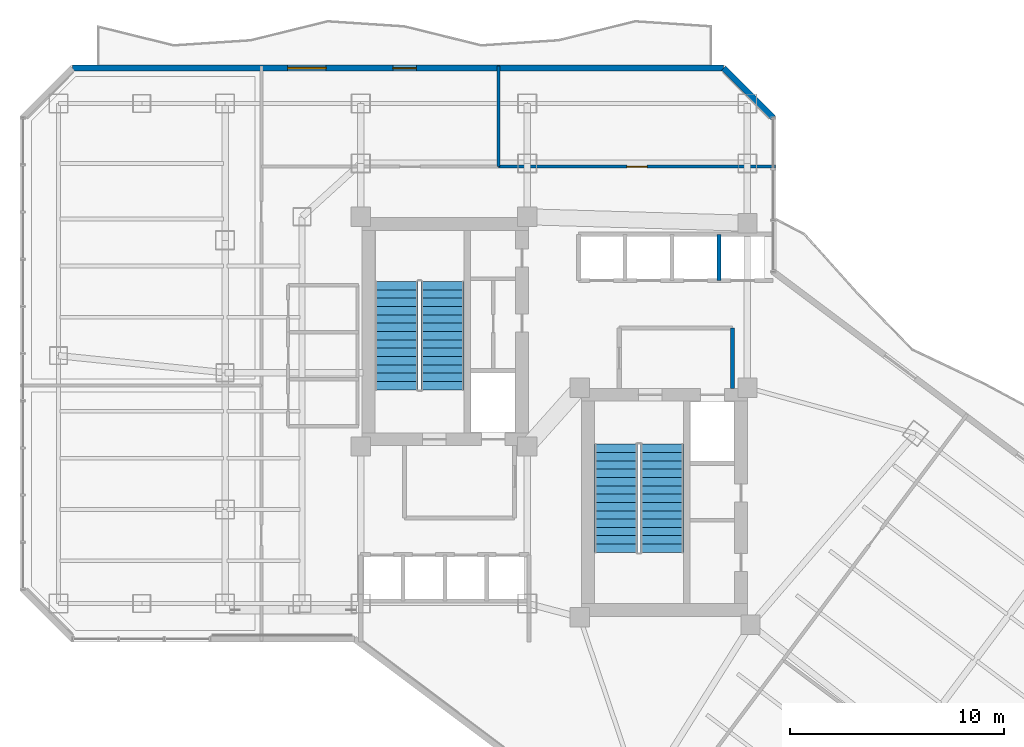
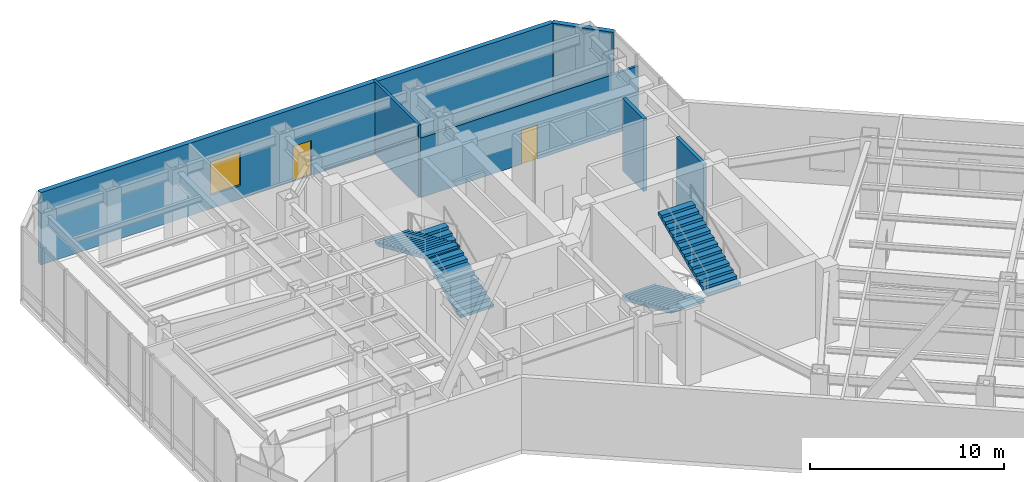
# One storey, part 22 of 27: 6 walls, 4 stair flights, 2 doors, 1 window, 3 openings, 2 elements without a shape of their own.
"""IFC4 building model written with IfcOpenShell, lengths in metres."""

from ifc_helpers import new_model, si_unit, direction, frame, frame_2d, origin, place, context, subcontext, project, spatial, polyline, rectangle, outline, extrude, material, layer, layer_set, type_object, element, fill, aggregate, save


model = new_model("IFC4")

# Units and contexts
model_context = context("Model", 3, precision=1e-05, world=origin(), true_north=direction((0.0, 1.0)))
body_context = subcontext(model_context, "Body", "Model", "MODEL_VIEW")
ifc_project = project(units=[si_unit("LENGTHUNIT", "METRE"), si_unit("AREAUNIT", "SQUARE_METRE"), si_unit("VOLUMEUNIT", "CUBIC_METRE"), si_unit("PLANEANGLEUNIT", "RADIAN"), si_unit("MASSUNIT", "GRAM", prefix="KILO")], contexts=[model_context])

# Site, building, storey
site_placement = place(None, origin())
site = spatial("IfcSite", under=ifc_project, at=site_placement, CompositionType="ELEMENT")
building_placement = place(site_placement, origin())
building = spatial("IfcBuilding", under=site, at=building_placement, Name="Hatsunagi Terrace Concourse", CompositionType="ELEMENT")
storey_placement = place(building_placement, frame((0.0, 0.0, 96.449951171875)))
storey = spatial("IfcBuildingStorey", under=building, at=storey_placement, Name="L25", CompositionType="ELEMENT", Elevation=96.449951171875)

# Wall
ifc_material_1 = material(Name="Acoustic mineral board", Category="gypsum")
ifc_layer_1 = layer(ifc_material_1, 0.14990234375)
ifc_layer_set_1 = layer_set([ifc_layer_1], Name="PartitionWall_EI60_150")
wall_type_1 = type_object("IfcWallType", Name="PartitionWall_EI60_150", PredefinedType="PARTITIONING", material=ifc_layer_set_1)
wall_1_placement = place(storey_placement, frame((32.0, 45.64990234375, 0.0), z_axis=(0.0, 0.0, 1.0), x_axis=(0.0, 1.0, 0.0)))
element("IfcWall", 1, at=wall_1_placement, inside=storey, type_object=wall_type_1, Name="Interior Partition IW-L25-037", PredefinedType="PARTITIONING", context=body_context, shape_type="SweptSolid", body=[
    extrude(rectangle(XDim=4.710205078125, YDim=0.14990234375, at=frame_2d((2.35498046875, 0.0))), origin(), (0.0, 0.0, 1.0), 4.550048828125),
])

# Wall, opening, door
wall_2_placement = place(storey_placement, frame((32.0, 45.64990234375, 0.0), z_axis=(0.0, 0.0, 1.0), x_axis=(1.0, 0.0, 0.0)))
wall_2 = element("IfcWall", 2, at=wall_2_placement, inside=storey, type_object=wall_type_1, Name="Interior Partition IW-L25-038", PredefinedType="PARTITIONING", context=body_context, shape_type="SweptSolid", body=[
    extrude(rectangle(XDim=12.9599609375, YDim=0.14990234375, at=frame_2d((6.47998046875, 0.0))), origin(), (0.0, 0.0, 1.0), 3.7451171875),
])
opening_1_placement = place(wall_2_placement, frame((6.0048828125, 0.0, 0.0)))
opening_1 = element("IfcOpeningElement", 3, at=opening_1_placement, cuts=wall_2, Name="Opening DR-095", PredefinedType="OPENING", context=body_context, shape_type="SweptSolid", body=[
    extrude(rectangle(XDim=0.949951171875, YDim=2.14990234375, at=frame_2d((0.47509765625, 1.074951171875))), frame((0.0, 0.0849609375, 0.0), z_axis=(0.0, -1.0, 0.0), x_axis=(1.0, 0.0, 0.0)), (0.0, 0.0, 1.0), 0.169921875),
])
ifc_material_2 = material(Name="Hardwood timber", Category="wood")
door_type_1 = type_object("IfcDoorType", Name="InteriorSuiteDoor_EI30_950", OperationType="NOTDEFINED", PredefinedType="DOOR", material=ifc_material_2)
door_1_placement = place(opening_1_placement, origin())
door_1 = element("IfcDoor", 4, at=door_1_placement, inside=storey, type_object=door_type_1, Name="Collaboration Lounge L25-ON2 Door", OperationType="SINGLE_SWING_RIGHT", OverallHeight=2.14990234375, OverallWidth=0.949951171875, PredefinedType="DOOR", context=body_context, shape_type="SweptSolid", body=[
    extrude(rectangle(XDim=0.949951171875, YDim=2.14990234375, at=frame_2d((0.47509765625, 1.074951171875))), frame((0.0, 0.02490234375, 0.0), z_axis=(0.0, -1.0, 0.0), x_axis=(1.0, 0.0, 0.0)), (0.0, 0.0, 1.0), 0.050048828125),
])
fill(opening_1, door_1)

# Walls
ifc_material_3 = material(Name="Acoustic mineral board", Category="gypsum")
ifc_layer_2 = layer(ifc_material_3, 0.199951171875)
ifc_layer_set_2 = layer_set([ifc_layer_2], Name="ShaftWall_EI120_200")
wall_type_2 = type_object("IfcWallType", Name="ShaftWall_EI120_200", PredefinedType="STANDARD", material=ifc_layer_set_2)
wall_3_placement = place(storey_placement, frame((42.949951171875, 35.27001953125, 0.0), z_axis=(0.0, 0.0, 1.0), x_axis=(0.0, 1.0, 0.0)))
element("IfcWall", 5, at=wall_3_placement, inside=storey, type_object=wall_type_2, Name="Interior Partition IW-L25-010", PredefinedType="STANDARD", context=body_context, shape_type="SweptSolid", body=[
    extrude(rectangle(XDim=2.830078125, YDim=0.199951171875, at=frame_2d((1.4150390625, 0.0))), origin(), (0.0, 0.0, 1.0), 4.550048828125),
])
wall_4_placement = place(storey_placement, frame((42.320068359375, 40.320068359375, 0.0), z_axis=(0.0, 0.0, 1.0), x_axis=(0.0, 1.0, 0.0)))
element("IfcWall", 6, at=wall_4_placement, inside=storey, type_object=wall_type_2, Name="Interior Partition IW-L25-023", PredefinedType="STANDARD", context=body_context, shape_type="SweptSolid", body=[
    extrude(rectangle(XDim=2.159912109375, YDim=0.199951171875, at=frame_2d((1.080078125, 0.0))), origin(), (0.0, 0.0, 1.0), 4.550048828125),
])

# Wall, openings, door, window
ifc_material_4 = material(Name="Autoclaved Lightweight Concrete and Terracotta Cladding", Category="masonry")
ifc_layer_3 = layer(ifc_material_4, 0.280029296875)
ifc_layer_set_3 = layer_set([ifc_layer_3], Name="TerracottaSpandrelWall_280")
wall_type_3 = type_object("IfcWallType", Name="TerracottaSpandrelWall_280", PredefinedType="STANDARD", material=ifc_layer_set_3)
wall_5_placement = place(storey_placement, frame((12.05810546875, 50.260009765625, 0.0), z_axis=(0.0, 0.0, 1.0), x_axis=(1.0, 0.0, 0.0)))
wall_5 = element("IfcWall", 7, at=wall_5_placement, inside=storey, type_object=wall_type_3, Name="Exterior Spandrel Wall EW-L25-11", PredefinedType="STANDARD", context=body_context, shape_type="SweptSolid", body=[
    extrude(rectangle(XDim=30.48388671875, YDim=0.280029296875, at=frame_2d((15.241943359375, 0.0))), origin(), (0.0, 0.0, 1.0), 4.550048828125),
])
opening_2_placement = place(wall_5_placement, frame((14.991943359375, 0.0, 0.0)))
opening_2 = element("IfcOpeningElement", 8, at=opening_2_placement, cuts=wall_5, Name="Opening BD-01", PredefinedType="OPENING", context=body_context, shape_type="SweptSolid", body=[
    extrude(rectangle(XDim=1.10009765625, YDim=2.199951171875, at=frame_2d((0.550048828125, 1.10009765625))), frame((0.0, 0.14990234375, 0.0), z_axis=(0.0, -1.0, 0.0), x_axis=(1.0, 0.0, 0.0)), (0.0, 0.0, 1.0), 0.300048828125),
])
opening_3_placement = place(wall_5_placement, frame((10.073974609375, 0.0, 0.85009765625)))
opening_3 = element("IfcOpeningElement", 9, at=opening_3_placement, cuts=wall_5, Name="Opening WIN-03", PredefinedType="OPENING", context=body_context, shape_type="SweptSolid", body=[
    extrude(rectangle(XDim=1.800048828125, YDim=2.10009765625, at=frame_2d((0.89990234375, 1.050048828125))), frame((0.0, 0.14990234375, 0.0), z_axis=(0.0, -1.0, 0.0), x_axis=(1.0, 0.0, 0.0)), (0.0, 0.0, 1.0), 0.300048828125),
])
ifc_material_5 = material(Name="Galvanised Steel and Laminated Safety Glass", Category="steel")
door_type_2 = type_object("IfcDoorType", Name="BalconyTerraceAccessDoor_1100x2200", OperationType="SINGLE_SWING_LEFT", PredefinedType="DOOR", material=ifc_material_5)
door_2_placement = place(opening_2_placement, origin())
door_2 = element("IfcDoor", 10, at=door_2_placement, inside=storey, type_object=door_type_2, Name="Engawa Balcony Door L25-BN", OperationType="SINGLE_SWING_RIGHT", OverallHeight=2.199951171875, OverallWidth=1.10009765625, PredefinedType="DOOR", context=body_context, shape_type="SweptSolid", body=[
    extrude(rectangle(XDim=1.10009765625, YDim=2.199951171875, at=frame_2d((0.550048828125, 1.10009765625))), frame((0.0, 0.02490234375, 0.0), z_axis=(0.0, -1.0, 0.0), x_axis=(1.0, 0.0, 0.0)), (0.0, 0.0, 1.0), 0.050048828125),
])
fill(opening_2, door_2)
ifc_material_6 = material(Name="Thermally Broken Aluminium and Low-E Triple Glazing", Category="aluminium")
window_type = type_object("IfcWindowType", Name="OfficeCornerFeatureWindow_1800x2100", PartitioningType="SINGLE_PANEL", PredefinedType="WINDOW", material=ifc_material_6)
window_placement = place(opening_3_placement, origin())
window = element("IfcWindow", 11, at=window_placement, inside=storey, type_object=window_type, Name="Balcony Daylighting Window L25-11-1", OverallHeight=2.10009765625, OverallWidth=1.800048828125, PartitioningType="SINGLE_PANEL", PredefinedType="WINDOW", context=body_context, shape_type="SweptSolid", body=[
    extrude(rectangle(XDim=1.800048828125, YDim=2.10009765625, at=frame_2d((0.89990234375, 1.050048828125))), frame((0.0, 0.030029296875, 0.0), z_axis=(0.0, -1.0, 0.0), x_axis=(1.0, 0.0, 0.0)), (0.0, 0.0, 1.0), 0.06005859375),
])
fill(opening_3, window)

# Wall
wall_6_placement = place(storey_placement, frame((42.5419921875, 50.260009765625, 0.0), z_axis=(0.0, 0.0, 1.0), x_axis=(0.707106781187, -0.707106781187, 0.0)))
element("IfcWall", 12, at=wall_6_placement, inside=storey, type_object=wall_type_3, Name="Exterior Spandrel Wall EW-L25-12", PredefinedType="STANDARD", context=body_context, shape_type="SweptSolid", body=[
    extrude(rectangle(XDim=3.2783203125, YDim=0.280029296875, at=frame_2d((1.63916015625, 0.0))), origin(), (0.0, 0.0, 1.0), 4.550048828125),
])

# Stair, stair flights
ifc_material_7 = material(Name="Concrete Fc42", Category="concrete")
stair_type = type_object("IfcStairType", Name="DoglegExitStair_Tower2000_28R_171", PredefinedType="HALF_TURN_STAIR", material=ifc_material_7)
stair_1_placement = place(storey_placement, origin())
stair_1 = element("IfcStair", 13, at=stair_1_placement, inside=storey, type_object=stair_type, Name="L25 Core A Protected Exit Stair ST-A", PredefinedType="HALF_TURN_STAIR")
ifc_material_8 = material(Name="Concrete Fc42", Category="concrete")
stair_flight_type = type_object("IfcStairFlightType", Name="DoglegStairFlight_Tower2000_28R_171", PredefinedType="STRAIGHT", material=ifc_material_8)
stair_flight_1_placement = place(storey_placement, frame((29.3798828125, 35.199951171875, 0.0), z_axis=(0.0, 0.0, 1.0), x_axis=(0.0, 1.0, 0.0)))
stair_flight_1 = element("IfcStairFlight", 14, at=stair_flight_1_placement, type_object=stair_flight_type, Name="ST-A flight 1", NumberOfRisers=14, NumberOfTreads=13, PredefinedType="STRAIGHT", RiserHeight=0.171428571, TreadLength=0.39, context=body_context, shape_type="SweptSolid", body=[
    extrude(outline(polyline([(0.0, 0.0), (0.0, 0.17138671875), (0.389892578125, 0.17138671875), (0.389892578125, 0.3427734375), (0.780029296875, 0.3427734375), (0.780029296875, 0.514404296875), (1.169921875, 0.514404296875), (1.169921875, 0.685791015625), (1.56005859375, 0.685791015625), (1.56005859375, 0.857177734375), (1.949951171875, 0.857177734375), (1.949951171875, 1.028564453125), (2.340087890625, 1.028564453125), (2.340087890625, 1.199951171875), (2.72998046875, 1.199951171875), (2.72998046875, 1.371337890625), (3.1201171875, 1.371337890625), (3.1201171875, 1.54296875), (3.510009765625, 1.54296875), (3.510009765625, 1.71435546875), (3.89990234375, 1.71435546875), (3.89990234375, 1.8857421875), (4.2900390625, 1.8857421875), (4.2900390625, 2.05712890625), (4.679931640625, 2.05712890625), (4.679931640625, 2.228515625), (5.070068359375, 2.228515625), (5.070068359375, 2.39990234375), (5.070068359375, 2.06494140625), (0.37255859375, 0.0), (0.0, 0.0)])), frame((0.0, 1.0, 0.0), z_axis=(0.0, -1.0, 0.0), x_axis=(1.0, 0.0, 0.0)), (0.0, 0.0, 1.0), 2.0),
])
stair_flight_2_placement = place(storey_placement, frame((27.22998046875, 40.27001953125, 2.400146484375), z_axis=(0.0, 0.0, 1.0), x_axis=(0.0, -1.0, 0.0)))
stair_flight_2 = element("IfcStairFlight", 15, at=stair_flight_2_placement, type_object=stair_flight_type, Name="ST-A flight 2", NumberOfRisers=14, NumberOfTreads=13, PredefinedType="STRAIGHT", RiserHeight=0.171428571, TreadLength=0.39, context=body_context, shape_type="SweptSolid", body=[
    extrude(outline(polyline([(0.0, 0.0), (0.0, 0.17138671875), (0.389892578125, 0.17138671875), (0.389892578125, 0.3427734375), (0.780029296875, 0.3427734375), (0.780029296875, 0.514404296875), (1.169921875, 0.514404296875), (1.169921875, 0.685791015625), (1.56005859375, 0.685791015625), (1.56005859375, 0.857177734375), (1.949951171875, 0.857177734375), (1.949951171875, 1.028564453125), (2.340087890625, 1.028564453125), (2.340087890625, 1.199951171875), (2.72998046875, 1.199951171875), (2.72998046875, 1.371337890625), (3.1201171875, 1.371337890625), (3.1201171875, 1.54296875), (3.510009765625, 1.54296875), (3.510009765625, 1.71435546875), (3.89990234375, 1.71435546875), (3.89990234375, 1.8857421875), (4.2900390625, 1.8857421875), (4.2900390625, 2.05712890625), (4.679931640625, 2.05712890625), (4.679931640625, 2.228515625), (5.070068359375, 2.228515625), (5.070068359375, 2.39990234375), (5.070068359375, 2.06494140625), (0.37255859375, 0.0), (0.0, 0.0)])), frame((0.0, 1.0, 0.0), z_axis=(0.0, -1.0, 0.0), x_axis=(1.0, 0.0, 0.0)), (0.0, 0.0, 1.0), 2.0),
])
aggregate(stair_1, [stair_flight_1, stair_flight_2])

stair_2_placement = place(storey_placement, origin())
stair_2 = element("IfcStair", 16, at=stair_2_placement, inside=storey, type_object=stair_type, Name="L25 Core B Protected Exit Stair ST-B", PredefinedType="HALF_TURN_STAIR")
stair_flight_3_placement = place(storey_placement, frame((37.5, 32.659912109375, 0.0), z_axis=(0.0, 0.0, 1.0), x_axis=(0.0, -1.0, 0.0)))
stair_flight_3 = element("IfcStairFlight", 17, at=stair_flight_3_placement, type_object=stair_flight_type, Name="ST-B flight 1", NumberOfRisers=14, NumberOfTreads=13, PredefinedType="STRAIGHT", RiserHeight=0.171428571, TreadLength=0.39, context=body_context, shape_type="SweptSolid", body=[
    extrude(outline(polyline([(0.0, 0.0), (0.0, 0.17138671875), (0.389892578125, 0.17138671875), (0.389892578125, 0.3427734375), (0.780029296875, 0.3427734375), (0.780029296875, 0.514404296875), (1.169921875, 0.514404296875), (1.169921875, 0.685791015625), (1.56005859375, 0.685791015625), (1.56005859375, 0.857177734375), (1.949951171875, 0.857177734375), (1.949951171875, 1.028564453125), (2.340087890625, 1.028564453125), (2.340087890625, 1.199951171875), (2.72998046875, 1.199951171875), (2.72998046875, 1.371337890625), (3.1201171875, 1.371337890625), (3.1201171875, 1.54296875), (3.510009765625, 1.54296875), (3.510009765625, 1.71435546875), (3.89990234375, 1.71435546875), (3.89990234375, 1.8857421875), (4.2900390625, 1.8857421875), (4.2900390625, 2.05712890625), (4.679931640625, 2.05712890625), (4.679931640625, 2.228515625), (5.070068359375, 2.228515625), (5.070068359375, 2.39990234375), (5.070068359375, 2.06494140625), (0.37255859375, 0.0), (0.0, 0.0)])), frame((0.0, 1.0, 0.0), z_axis=(0.0, -1.0, 0.0), x_axis=(1.0, 0.0, 0.0)), (0.0, 0.0, 1.0), 2.0),
])
stair_flight_4_placement = place(storey_placement, frame((39.64990234375, 27.590087890625, 2.400146484375), z_axis=(0.0, 0.0, 1.0), x_axis=(0.0, 1.0, 0.0)))
stair_flight_4 = element("IfcStairFlight", 18, at=stair_flight_4_placement, type_object=stair_flight_type, Name="ST-B flight 2", NumberOfRisers=14, NumberOfTreads=13, PredefinedType="STRAIGHT", RiserHeight=0.171428571, TreadLength=0.39, context=body_context, shape_type="SweptSolid", body=[
    extrude(outline(polyline([(0.0, 0.0), (0.0, 0.17138671875), (0.389892578125, 0.17138671875), (0.389892578125, 0.3427734375), (0.780029296875, 0.3427734375), (0.780029296875, 0.514404296875), (1.169921875, 0.514404296875), (1.169921875, 0.685791015625), (1.56005859375, 0.685791015625), (1.56005859375, 0.857177734375), (1.949951171875, 0.857177734375), (1.949951171875, 1.028564453125), (2.340087890625, 1.028564453125), (2.340087890625, 1.199951171875), (2.72998046875, 1.199951171875), (2.72998046875, 1.371337890625), (3.1201171875, 1.371337890625), (3.1201171875, 1.54296875), (3.510009765625, 1.54296875), (3.510009765625, 1.71435546875), (3.89990234375, 1.71435546875), (3.89990234375, 1.8857421875), (4.2900390625, 1.8857421875), (4.2900390625, 2.05712890625), (4.679931640625, 2.05712890625), (4.679931640625, 2.228515625), (5.070068359375, 2.228515625), (5.070068359375, 2.39990234375), (5.070068359375, 2.06494140625), (0.37255859375, 0.0), (0.0, 0.0)])), frame((0.0, 1.0, 0.0), z_axis=(0.0, -1.0, 0.0), x_axis=(1.0, 0.0, 0.0)), (0.0, 0.0, 1.0), 2.0),
])
aggregate(stair_2, [stair_flight_3, stair_flight_4])

save(model, "model.ifc")
